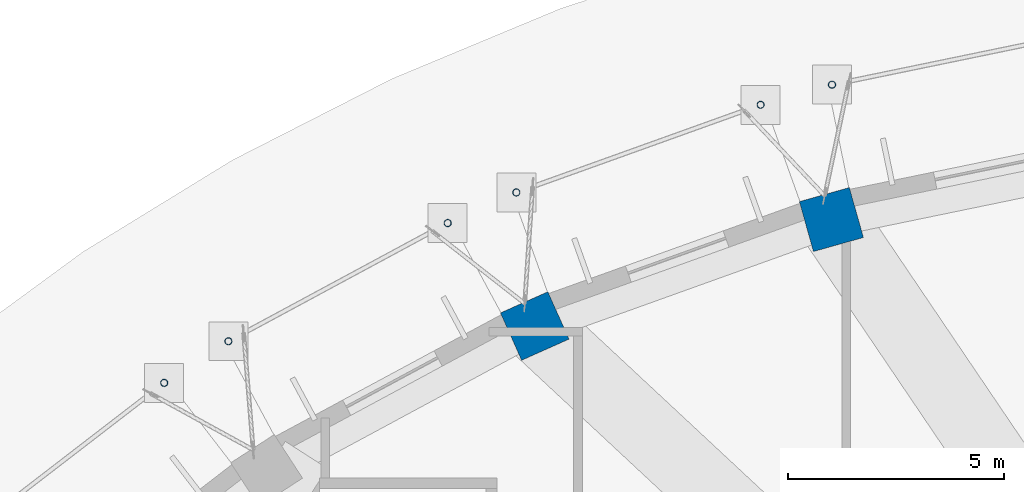
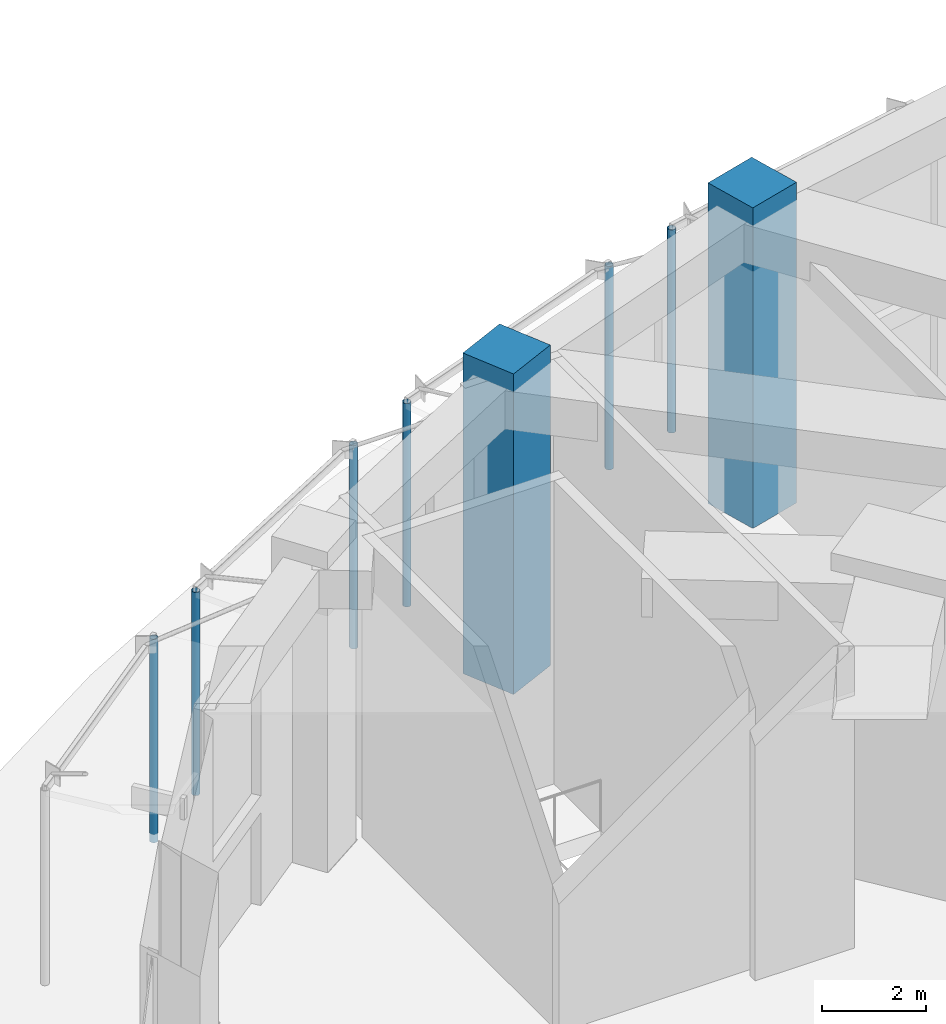
# One storey, part 18 of 60: 8 columns.
"""IFC4 building model written with IfcOpenShell, lengths in metres."""

from ifc_helpers import new_model, si_unit, direction, frame, origin, origin_2d, place, context, subcontext, project, spatial, rectangle, hollow_circle, extrude, material, material_profile, profile_set, type_object, element, save


model = new_model("IFC4")

# Units and contexts
model_context = context("Model", 3, precision=1e-05, world=origin(), true_north=direction((0.0, 1.0)))
body_context = subcontext(model_context, "Body", "Model", "MODEL_VIEW")
ifc_project = project(units=[si_unit("LENGTHUNIT", "METRE"), si_unit("AREAUNIT", "SQUARE_METRE"), si_unit("VOLUMEUNIT", "CUBIC_METRE"), si_unit("PLANEANGLEUNIT", "RADIAN"), si_unit("MASSUNIT", "GRAM", prefix="KILO")], contexts=[model_context])

# Site, building, storey
site_placement = place(None, origin())
site = spatial("IfcSite", under=ifc_project, at=site_placement, CompositionType="ELEMENT")
building_placement = place(site_placement, origin())
building = spatial("IfcBuilding", under=site, at=building_placement, Name="Taillehof Tower", CompositionType="ELEMENT")
storey_placement = place(building_placement, origin())
storey = spatial("IfcBuildingStorey", under=building, at=storey_placement, Name="L00", CompositionType="ELEMENT", Elevation=0.0)

# Columns
ifc_material_1 = material(Name="Steel S460M", Category="steel")
ifc_material_profile_1 = material_profile(ifc_material_1, hollow_circle(Radius=0.084228515625, WallThickness=0.008056640625, at=origin_2d()), Name="CHS 168.3x8")
ifc_profile_set_1 = profile_set([ifc_material_profile_1], Name="Steel S460M")
column_type_1 = type_object("IfcColumnType", Name="Canopy post CHS 168.3x8", PredefinedType="COLUMN", material=ifc_profile_set_1)
for number, where, z_axis, x_axis, name in (
    (1, (-14.82958984375, 34.502197265625, -0.199951171875), (0.0, 0.0, 1.0), (1.0, 0.0, 0.0), "Canopy post E17"),
    (2, (-16.4794921875, 34.038818359375, -0.199951171875), (0.0, 0.0, 1.0), (1.0, 0.0, 0.0), "Canopy post E1"),
    (3, (-22.1259765625, 32.01220703125, -0.199951171875), (0.0, 0.0, 1.0), (1.0, 0.0, 0.0), "Canopy post E1"),
    (4, (-23.711669921875, 31.30517578125, -0.199951171875), (0.0, 0.0, 1.0), (1.0, 0.0, 0.0), "Canopy post E20"),
    (5, (-28.780517578125, 28.573486328125, -0.199951171875), (0.0, 0.0, 1.0), (1.0, 0.0, 0.0), "Canopy post E20"),
    (6, (-30.263671875, 27.61181640625, -0.199951171875), (0.0, 0.0, 1.0), (1.0, 0.0, 0.0), "Canopy post E2"),
):
    element("IfcColumn", number, at=place(storey_placement, frame(where, z_axis=z_axis, x_axis=x_axis)), inside=storey, type_object=column_type_1, Name=name, PredefinedType="COLUMN", context=body_context, shape_type="SweptSolid", body=[
        extrude(hollow_circle(Radius=0.084228515625, WallThickness=0.008056640625, at=origin_2d()), origin(), (0.0, 0.0, 1.0), 4.7548828125),
    ])
ifc_material_2 = material(Name="Concrete C60/75", Category="concrete")
ifc_material_profile_2 = material_profile(ifc_material_2, rectangle(XDim=1.199951171875, YDim=1.199951171875, at=origin_2d()), Name="RC 1200x1200")
ifc_profile_set_2 = profile_set([ifc_material_profile_2], Name="Concrete C60/75")
column_type_2 = type_object("IfcColumnType", Name="Podium column C60/75 1200x1200", PredefinedType="COLUMN", material=ifc_profile_set_2)
for number, where, z_axis, x_axis, name in (
    (7, (-14.84375, 31.3857421875, 0.0), (0.0, 0.0, 1.0), (-0.270745277365, 0.962651024403, 0.0), "Podium column PC12"),
    (8, (-21.699951171875, 28.92529296875, 0.0), (0.0, 0.0, 1.0), (-0.407426758957, 0.913237885814, 0.0), "Podium column PC13"),
):
    element("IfcColumn", number, at=place(storey_placement, frame(where, z_axis=z_axis, x_axis=x_axis)), inside=storey, type_object=column_type_2, Name=name, PredefinedType="COLUMN", context=body_context, shape_type="SweptSolid", body=[
        extrude(rectangle(XDim=1.199951171875, YDim=1.199951171875, at=origin_2d()), origin(), (0.0, 0.0, 1.0), 7.5),
    ])

save(model, "model.ifc")
